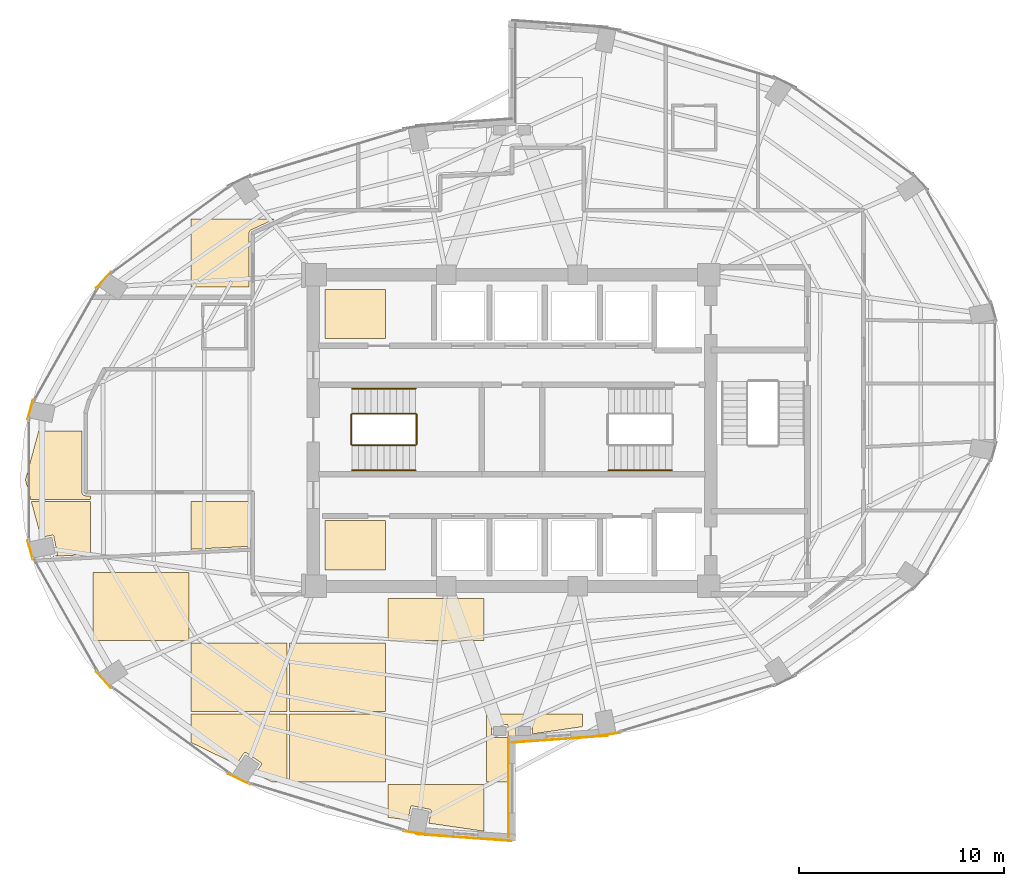
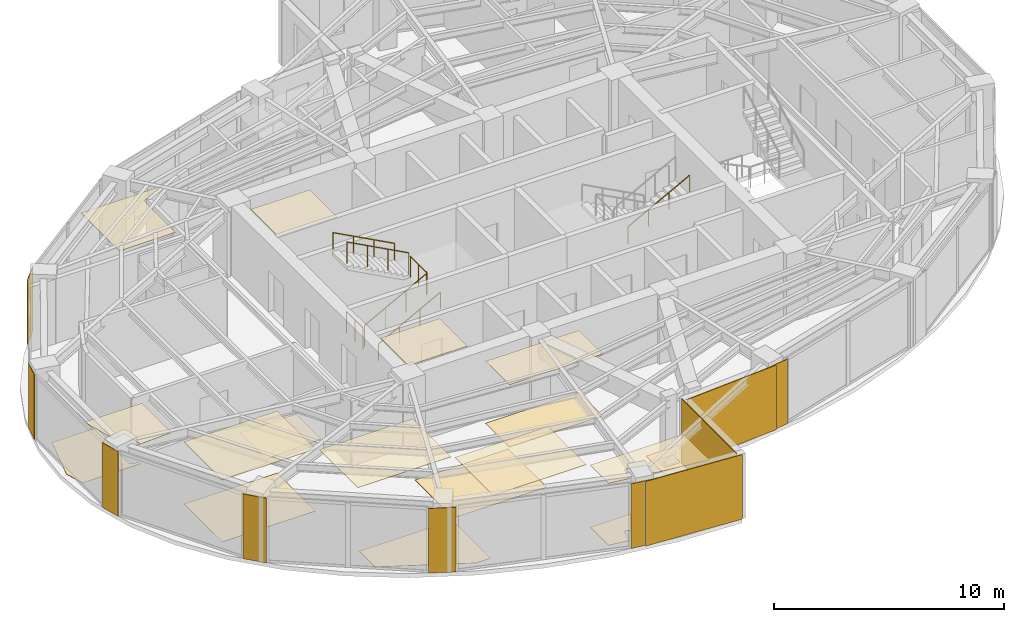
# One storey, part 19 of 20: 27 coverings, 7 railings.
"""IFC4 building model written with IfcOpenShell, lengths in metres."""

import ifcopenshell
import ifcopenshell.guid

model = None  # the IFC model being written
_history = None  # IfcOwnerHistory: only IFC2X3 demands one
_inside = {}  # id of a spatial element -> (the spatial element, [elements in it])
_under = {}  # id of a project, library or spatial element -> (it, [spatial elements below it])
_declared = {}  # id of a project -> (the project, [libraries it declares])
_typed = {}  # id of a type object -> (the type object, [elements of that type])
_made_of = {}  # id of a material, layer set ... -> (it, [elements and type objects made of it])


def new_model(schema):
    """Start an empty IFC model of exactly this schema.

    Asked for "IFC4X3", IfcOpenShell would pick the latest addendum, in which some entities
    have other attributes; the version numbers below select the first issue.
    IFC2X3 requires an IfcOwnerHistory on every rooted entity: one is made here for all.
    """
    global model, _history
    if schema == "IFC4X3":
        model = ifcopenshell.file(schema_version=(4, 3, 0, 0))
    else:
        model = ifcopenshell.file(schema=schema)
    _inside.clear()
    _under.clear()
    _declared.clear()
    _typed.clear()
    _made_of.clear()
    _history = None
    if model.schema == "IFC2X3":
        org = make("IfcOrganization", Name="unknown")
        user = make(
            "IfcPersonAndOrganization",
            ThePerson=make("IfcPerson", FamilyName="unknown"),
            TheOrganization=org,
        )
        app = make(
            "IfcApplication",
            ApplicationDeveloper=org,
            Version="unknown",
            ApplicationFullName="unknown",
            ApplicationIdentifier="unknown",
        )
        _history = make(
            "IfcOwnerHistory",
            OwningUser=user,
            OwningApplication=app,
            ChangeAction="ADDED",
            CreationDate=0,
        )
    return model


def make(cls, **values):
    """One entity of the class cls with the attributes given. An attribute that is None is left unset."""
    return model.create_entity(
        cls, **{name: value for name, value in values.items() if value is not None}
    )


def rooted(cls, **values):
    """An entity with a GlobalId (a new one), such as an element, a storey or a relation."""
    return make(cls, GlobalId=ifcopenshell.guid.new(), OwnerHistory=_history, **values)


def si_unit(unit_type, name, prefix=None):
    """IfcSIUnit, for example si_unit("LENGTHUNIT", "METRE", prefix="MILLI")."""
    return make("IfcSIUnit", UnitType=unit_type, Prefix=prefix, Name=name)


def assignment(units):
    """IfcUnitAssignment: the units of a project."""
    return None if units is None else make("IfcUnitAssignment", Units=units)


def point(xyz):
    """IfcCartesianPoint."""
    return None if xyz is None else make("IfcCartesianPoint", Coordinates=xyz)


def direction(xyz):
    """IfcDirection."""
    return None if xyz is None else make("IfcDirection", DirectionRatios=xyz)


def frame(location, z_axis=None, x_axis=None):
    """IfcAxis2Placement3D, a coordinate frame: its origin and axes. An axis left out is left unset."""
    return make(
        "IfcAxis2Placement3D",
        Location=point(location),
        Axis=direction(z_axis),
        RefDirection=direction(x_axis),
    )


def frame_2d(location, x_axis=None):
    """IfcAxis2Placement2D, a coordinate frame in the plane: its origin and x axis."""
    return make(
        "IfcAxis2Placement2D", Location=point(location), RefDirection=direction(x_axis)
    )


def origin():
    """The frame at (0, 0, 0) with its axes left unset."""
    return frame((0.0, 0.0, 0.0))


def origin_2d():
    """The frame at (0, 0) in the plane with its x axis left unset."""
    return frame_2d((0.0, 0.0))


def place(relative_to, where):
    """IfcLocalPlacement: puts the frame where relative to a parent placement (None: the world)."""
    return make(
        "IfcLocalPlacement", PlacementRelTo=relative_to, RelativePlacement=where
    )


def context(
    kind, dimensions, precision=None, world=None, true_north=None, identifier=None
):
    """IfcGeometricRepresentationContext, for example the 3D "Model" context."""
    return make(
        "IfcGeometricRepresentationContext",
        ContextIdentifier=identifier,
        ContextType=kind,
        CoordinateSpaceDimension=dimensions,
        Precision=precision,
        WorldCoordinateSystem=world,
        TrueNorth=true_north,
    )


def subcontext(parent, identifier, kind, view, scale=None):
    """IfcGeometricRepresentationSubContext, for example "Body" below "Model"."""
    return make(
        "IfcGeometricRepresentationSubContext",
        ContextIdentifier=identifier,
        ContextType=kind,
        ParentContext=parent,
        TargetScale=scale,
        TargetView=view,
    )


def project(units=None, contexts=None):
    """IfcProject with its units and contexts."""
    return rooted(
        "IfcProject",
        Name="project",
        RepresentationContexts=contexts,
        UnitsInContext=assignment(units),
    )


def spatial(cls, under=None, at=None, **own):
    """A site, building, storey or space (cls), placed at a placement, below another one or the project."""
    s = rooted(cls, ObjectPlacement=at, **own)
    if under is not None:
        _under.setdefault(under.id(), (under, []))[1].append(s)
    return s


def polyline(points):
    """IfcPolyline through the points."""
    return make("IfcPolyline", Points=[point(p) for p in points])


def profile(cls, at=None, kind="AREA", **sizes):
    """A parametric profile (cls). Its sizes go by their IFC names, for example OverallWidth=200.0."""
    return make(cls, ProfileType=kind, Position=at, **sizes)


def rectangle(**sizes):
    """IfcRectangleProfileDef."""
    return profile("IfcRectangleProfileDef", **sizes)


def circle(**sizes):
    """IfcCircleProfileDef."""
    return profile("IfcCircleProfileDef", **sizes)


def outline(outer, holes=None, kind="AREA"):
    """IfcArbitraryClosedProfileDef: a profile drawn as a closed curve; with holes, ...WithVoids."""
    if holes is None:
        return make("IfcArbitraryClosedProfileDef", ProfileType=kind, OuterCurve=outer)
    return make(
        "IfcArbitraryProfileDefWithVoids",
        ProfileType=kind,
        OuterCurve=outer,
        InnerCurves=holes,
    )


def extrude(swept, where, along, depth):
    """IfcExtrudedAreaSolid: the profile swept, set in the frame where, extruded along a direction by depth."""
    return make(
        "IfcExtrudedAreaSolid",
        SweptArea=swept,
        Position=where,
        ExtrudedDirection=direction(along),
        Depth=depth,
    )


def shape(context_of_items, identifier, shape_type, items):
    """IfcShapeRepresentation: the items that make up one representation, for example the "Body"."""
    return make(
        "IfcShapeRepresentation",
        ContextOfItems=context_of_items,
        RepresentationIdentifier=identifier,
        RepresentationType=shape_type,
        Items=items,
    )


def material(Name=None, Category=None):
    """IfcMaterial."""
    return make("IfcMaterial", Name=Name, Category=Category)


def layer(
    of_material, thickness, ventilated=None, Name=None, Category=None, Priority=None
):
    """IfcMaterialLayer: one layer of a wall or slab, of a material (None: an air gap)."""
    return make(
        "IfcMaterialLayer",
        Material=of_material,
        LayerThickness=thickness,
        IsVentilated=ventilated,
        Name=Name,
        Category=Category,
        Priority=Priority,
    )


def layer_set(layers, Name=None):
    """IfcMaterialLayerSet."""
    return make("IfcMaterialLayerSet", MaterialLayers=layers, LayerSetName=Name)


def made_of(thing, what):
    """Note that an element or type object is made of a material, layer set ...; save() writes the relation."""
    if what is not None:
        _made_of.setdefault(what.id(), (what, []))[1].append(thing)
    return thing


def type_object(cls, material=None, **own):
    """A type object (cls), such as IfcWallType, which elements share."""
    return made_of(rooted(cls, **own), material)


def element(
    cls,
    number,
    at=None,
    inside=None,
    cuts=None,
    type_object=None,
    material=None,
    context=None,
    identifier="Body",
    shape_type=None,
    held_by="IfcProductDefinitionShape",
    body=None,
    shapes=None,
    **own,
):
    """One element of the class cls, such as IfcWall. Its Tag is "e" and its number.

    at: its placement. inside: the storey or other place that contains it. cuts: it is an
    opening in that element (IfcRelVoidsElement). A single representation is given by context,
    identifier, shape_type and body (its items); several are given by shapes. held_by: the class
    of the entity that holds the representations. save() writes the other relations.
    """
    e = rooted(cls, Tag="e%d" % number, ObjectPlacement=at, **own)
    if body is not None:
        shapes = [shape(context, identifier, shape_type, body)]
    if shapes is not None:
        e.Representation = make(held_by, Representations=shapes)
    if inside is not None:
        _inside.setdefault(inside.id(), (inside, []))[1].append(e)
    if cuts is not None:
        rooted(
            "IfcRelVoidsElement", RelatingBuildingElement=cuts, RelatedOpeningElement=e
        )
    if type_object is not None:
        _typed.setdefault(type_object.id(), (type_object, []))[1].append(e)
    return made_of(e, material)


def aggregate(whole, parts):
    """IfcRelAggregates: a whole, such as a stair, and the parts it consists of."""
    return rooted("IfcRelAggregates", RelatingObject=whole, RelatedObjects=parts)


def save(model, path):
    """Write the relations noted so far, then the file.

    IfcRelAggregates (storeys below a building ...), IfcRelContainedInSpatialStructure (elements
    in a storey), IfcRelDefinesByType, IfcRelAssociatesMaterial and IfcRelDeclares: one each for
    every whole, place, type object, material and project.
    """
    for whole, parts in _under.values():
        aggregate(whole, parts)
    for where, things in _inside.values():
        rooted(
            "IfcRelContainedInSpatialStructure",
            RelatedElements=things,
            RelatingStructure=where,
        )
    for kind, things in _typed.values():
        rooted("IfcRelDefinesByType", RelatedObjects=things, RelatingType=kind)
    for what, things in _made_of.values():
        rooted("IfcRelAssociatesMaterial", RelatedObjects=things, RelatingMaterial=what)
    for by, libraries in _declared.values():
        rooted("IfcRelDeclares", RelatingContext=by, RelatedDefinitions=libraries)
    model.write(path)


model = new_model("IFC4")

# Units and contexts
model_context = context("Model", 3, precision=1e-05, world=origin(), true_north=direction((0.0, 1.0)))
body_context = subcontext(model_context, "Body", "Model", "MODEL_VIEW")
ifc_project = project(units=[si_unit("LENGTHUNIT", "METRE"), si_unit("AREAUNIT", "SQUARE_METRE"), si_unit("VOLUMEUNIT", "CUBIC_METRE"), si_unit("PLANEANGLEUNIT", "RADIAN"), si_unit("MASSUNIT", "GRAM", prefix="KILO")], contexts=[model_context])

# Site, building, storey
site_placement = place(None, origin())
site = spatial("IfcSite", under=ifc_project, at=site_placement, CompositionType="ELEMENT")
building_placement = place(site_placement, origin())
building = spatial("IfcBuilding", under=site, at=building_placement, Name="Lazwardi Medical Tower", CompositionType="ELEMENT")
storey_placement = place(building_placement, frame((0.0, 0.0, 145.583984375)))
storey = spatial("IfcBuildingStorey", under=building, at=storey_placement, Name="L37", CompositionType="ELEMENT", Elevation=145.583984375)

# Coverings
ifc_material_1 = material(Name="Anodised bronze aluminium cassette cladding", Category="aluminium")
ifc_layer_1 = layer(ifc_material_1, 0.030029296875)
ifc_layer_set_1 = layer_set([ifc_layer_1], Name="Anodised bronze aluminium cassette cladding")
covering_type_1 = type_object("IfcCoveringType", Name="COV-CLD-BRZ", PredefinedType="CLADDING", material=ifc_layer_set_1)
covering_1_placement = place(storey_placement, frame((40.67431640625, 13.17578125, 0.0), z_axis=(0.0, 0.0, 1.0), x_axis=(0.989539138138, 0.144264666823, 0.0)))
element("IfcCovering", 1, at=covering_1_placement, inside=storey, type_object=covering_type_1, Name="L37 Mega-column bronze cassette cover M01", PredefinedType="CLADDING", context=body_context, shape_type="SweptSolid", body=[
    extrude(rectangle(XDim=1.28515625, YDim=0.030029296875, at=origin_2d()), origin(), (0.0, 0.0, 1.0), 3.427978515625),
])
covering_2_placement = place(storey_placement, frame((16.07861328125, 35.356689453125, 0.0), z_axis=(0.0, 0.0, 1.0), x_axis=(-0.673714459537, -0.738991763832, 0.0)))
element("IfcCovering", 2, at=covering_2_placement, inside=storey, type_object=covering_type_1, Name="L37 Mega-column bronze cassette cover M11", PredefinedType="CLADDING", context=body_context, shape_type="SweptSolid", body=[
    extrude(rectangle(XDim=1.0693359375, YDim=0.030029296875, at=origin_2d()), origin(), (0.0, 0.0, 1.0), 3.427978515625),
])
for number, where, z_axis, x_axis, name in (
    (3, (12.501220703125, 29.026123046875, 0.0), (0.0, 0.0, 1.0), (-0.261828726257, -0.965114354938, 0.0), "L37 Mega-column bronze cassette cover M12"),
    (4, (12.501220703125, 22.173828125, 0.0), (0.0, 0.0, 1.0), (0.261828726257, -0.965114354938, 0.0), "L37 Mega-column bronze cassette cover M13"),
):
    element("IfcCovering", number, at=place(storey_placement, frame(where, z_axis=z_axis, x_axis=x_axis)), inside=storey, type_object=covering_type_1, Name=name, PredefinedType="CLADDING", context=body_context, shape_type="SweptSolid", body=[
        extrude(rectangle(XDim=0.9658203125, YDim=0.030029296875, at=origin_2d()), origin(), (0.0, 0.0, 1.0), 3.427978515625),
    ])
covering_3_placement = place(storey_placement, frame((16.07861328125, 15.84326171875, 0.0), z_axis=(0.0, 0.0, 1.0), x_axis=(0.673714459537, -0.738991763832, 0.0)))
element("IfcCovering", 5, at=covering_3_placement, inside=storey, type_object=covering_type_1, Name="L37 Mega-column bronze cassette cover M14", PredefinedType="CLADDING", context=body_context, shape_type="SweptSolid", body=[
    extrude(rectangle(XDim=1.0693359375, YDim=0.030029296875, at=origin_2d()), origin(), (0.0, 0.0, 1.0), 3.427978515625),
])
covering_4_placement = place(storey_placement, frame((22.68896484375, 10.998046875, 0.0), z_axis=(0.0, 0.0, 1.0), x_axis=(0.898079014814, -0.439834154144, 0.0)))
element("IfcCovering", 6, at=covering_4_placement, inside=storey, type_object=covering_type_1, Name="L37 Mega-column bronze cassette cover M15", PredefinedType="CLADDING", context=body_context, shape_type="SweptSolid", body=[
    extrude(rectangle(XDim=1.200439453125, YDim=0.030029296875, at=origin_2d()), origin(), (0.0, 0.0, 1.0), 3.427978515625),
])
covering_5_placement = place(storey_placement, frame((31.32568359375, 8.3759765625, 0.0), z_axis=(0.0, 0.0, 1.0), x_axis=(0.989539138138, -0.144264666823, 0.0)))
element("IfcCovering", 7, at=covering_5_placement, inside=storey, type_object=covering_type_1, Name="L37 Mega-column bronze cassette cover M16", PredefinedType="CLADDING", context=body_context, shape_type="SweptSolid", body=[
    extrude(rectangle(XDim=1.28515625, YDim=0.030029296875, at=origin_2d()), origin(), (0.0, 0.0, 1.0), 3.427978515625),
])
ifc_material_2 = material(Name="Turquoise glazed ceramic tilework cladding", Category="masonry")
ifc_layer_2 = layer(ifc_material_2, 0.034912109375)
ifc_layer_set_2 = layer_set([ifc_layer_2], Name="Turquoise glazed ceramic tilework cladding")
covering_type_2 = type_object("IfcCoveringType", Name="COV-CLD-TRQ", PredefinedType="CLADDING", material=ifc_layer_set_2)
covering_6_placement = place(storey_placement, frame((38.338134765625, 12.952392578125, 0.0), z_axis=(0.0, 0.0, 1.0), x_axis=(0.997414510753, 0.071863020663, 0.0)))
element("IfcCovering", 8, at=covering_6_placement, inside=storey, type_object=covering_type_2, Name="L37 Turquoise glazed ceramic tilework cladding", PredefinedType="CLADDING", context=body_context, shape_type="SweptSolid", body=[
    extrude(rectangle(XDim=4.6630859375, YDim=0.034912109375, at=origin_2d()), origin(), (0.0, 0.0, 1.0), 3.427978515625),
])
covering_7_placement = place(storey_placement, frame((33.66162109375, 8.152587890625, 0.0), z_axis=(0.0, 0.0, 1.0), x_axis=(0.997414134466, -0.071868243112, 0.0)))
element("IfcCovering", 9, at=covering_7_placement, inside=storey, type_object=covering_type_2, Name="L37 Turquoise glazed ceramic tilework cladding", PredefinedType="CLADDING", context=body_context, shape_type="SweptSolid", body=[
    extrude(rectangle(XDim=4.66259765625, YDim=0.034912109375, at=origin_2d()), origin(), (0.0, 0.0, 1.0), 3.427978515625),
])
covering_8_placement = place(storey_placement, frame((35.824462890625, 10.56005859375, 0.0), z_axis=(0.0, 0.0, 1.0), x_axis=(0.0, 1.0, 0.0)))
element("IfcCovering", 10, at=covering_8_placement, inside=storey, type_object=covering_type_2, Name="L37 Turquoise glazed ceramic tilework iwan panel", PredefinedType="CLADDING", context=body_context, shape_type="SweptSolid", body=[
    extrude(rectangle(XDim=4.800048828125, YDim=0.034912109375, at=origin_2d()), origin(), (0.0, 0.0, 1.0), 3.427978515625),
])
ifc_material_3 = material(Name="Acoustic mineral fibre tile")
ifc_layer_3 = layer(ifc_material_3, 0.02490234375)
ifc_layer_set_3 = layer_set([ifc_layer_3], Name="Acoustic mineral fibre tile")
covering_type_3 = type_object("IfcCoveringType", Name="COV-CLG-01", PredefinedType="CEILING", material=ifc_layer_set_3)
covering_9_placement = place(storey_placement, frame((0.0, 0.0, 3.282958984375)))
element("IfcCovering", 11, at=covering_9_placement, inside=storey, type_object=covering_type_3, Name="L37 Clinical Acoustic Ceiling 1", PredefinedType="CEILING", context=body_context, shape_type="SweptSolid", body=[
    extrude(outline(polyline([(12.55322265625, 24.532470703125), (13.02490234375, 22.798583984375), (13.55810546875, 22.904541015625), (13.56591796875, 22.90576171875), (13.57373046875, 22.906005859375), (13.58154296875, 22.90576171875), (13.58935546875, 22.904541015625), (13.596923828125, 22.902587890625), (13.6044921875, 22.89990234375), (13.611572265625, 22.896728515625), (13.6181640625, 22.892578125), (13.62451171875, 22.887939453125), (13.63037109375, 22.8828125), (13.635498046875, 22.876953125), (13.640380859375, 22.87060546875), (13.644287109375, 22.86376953125), (13.647705078125, 22.856689453125), (13.650390625, 22.849365234375), (13.65234375, 22.841796875), (13.820068359375, 21.998291015625), (13.8212890625, 21.990478515625), (13.821533203125, 21.982666015625), (13.8212890625, 21.974853515625), (13.820068359375, 21.967041015625), (13.818115234375, 21.95947265625), (13.8154296875, 21.951904296875), (13.812255859375, 21.94482421875), (13.80810546875, 21.938232421875), (13.803466796875, 21.931884765625), (13.798095703125, 21.926025390625), (13.79248046875, 21.9208984375), (13.785888671875, 21.916015625), (13.779296875, 21.912109375), (13.772216796875, 21.90869140625), (13.764892578125, 21.906005859375), (13.757080078125, 21.904052734375), (13.586181640625, 21.8701171875), (15.432861328125, 21.9638671875), (15.432861328125, 24.532470703125), (12.55322265625, 24.532470703125)])), origin(), (0.0, 0.0, 1.0), 0.025146484375),
])
covering_10_placement = place(storey_placement, frame((0.0, 0.0, 3.282958984375)))
element("IfcCovering", 12, at=covering_10_placement, inside=storey, type_object=covering_type_3, Name="L37 Clinical Acoustic Ceiling 2", PredefinedType="CEILING", context=body_context, shape_type="SweptSolid", body=[
    extrude(outline(polyline([(20.23291015625, 17.75244140625), (20.23291015625, 21.08251953125), (15.552978515625, 21.08251953125), (15.552978515625, 17.75244140625), (20.23291015625, 17.75244140625)])), origin(), (0.0, 0.0, 1.0), 0.025146484375),
])
covering_11_placement = place(storey_placement, frame((0.0, 0.0, 3.282958984375)))
element("IfcCovering", 13, at=covering_11_placement, inside=storey, type_object=covering_type_3, Name="L37 Clinical Acoustic Ceiling 3", PredefinedType="CEILING", context=body_context, shape_type="SweptSolid", body=[
    extrude(outline(polyline([(25.032958984375, 14.302490234375), (25.032958984375, 17.632568359375), (20.352783203125, 17.632568359375), (20.352783203125, 14.302490234375), (25.032958984375, 14.302490234375)])), origin(), (0.0, 0.0, 1.0), 0.025146484375),
])
covering_12_placement = place(storey_placement, frame((0.0, 0.0, 3.282958984375)))
element("IfcCovering", 14, at=covering_12_placement, inside=storey, type_object=covering_type_3, Name="L37 Clinical Acoustic Ceiling 4", PredefinedType="CEILING", context=body_context, shape_type="SweptSolid", body=[
    extrude(outline(polyline([(23.175048828125, 35.00244140625), (23.175048828125, 37.6337890625), (23.175048828125, 37.637451171875), (23.175537109375, 37.646484375), (23.17626953125, 37.654296875), (23.177490234375, 37.663330078125), (23.178955078125, 37.67041015625), (23.180908203125, 37.67919921875), (23.18310546875, 37.686279296875), (23.18603515625, 37.694580078125), (23.18896484375, 37.7021484375), (23.192626953125, 37.710205078125), (23.19580078125, 37.71630859375), (23.2001953125, 37.72412109375), (23.204345703125, 37.730712890625), (23.20947265625, 37.73828125), (23.214111328125, 37.744140625), (23.219970703125, 37.7509765625), (23.2255859375, 37.7568359375), (23.232177734375, 37.76318359375), (23.2373046875, 37.767578125), (23.244384765625, 37.773193359375), (23.25048828125, 37.77783203125), (23.258056640625, 37.78271484375), (23.26416015625, 37.786376953125), (23.272216796875, 37.79052734375), (23.27587890625, 37.79248046875), (24.43017578125, 38.33251953125), (20.352783203125, 38.33251953125), (20.352783203125, 35.00244140625), (23.175048828125, 35.00244140625)])), origin(), (0.0, 0.0, 1.0), 0.025146484375),
])
covering_13_placement = place(storey_placement, frame((0.0, 0.0, 3.282958984375)))
element("IfcCovering", 15, at=covering_13_placement, inside=storey, type_object=covering_type_3, Name="L37 Clinical Acoustic Ceiling 5", PredefinedType="CEILING", context=body_context, shape_type="SweptSolid", body=[
    extrude(outline(polyline([(29.8330078125, 10.8525390625), (29.8330078125, 14.1826171875), (25.15283203125, 14.1826171875), (25.15283203125, 10.8525390625), (29.8330078125, 10.8525390625)])), origin(), (0.0, 0.0, 1.0), 0.025146484375),
])
covering_14_placement = place(storey_placement, frame((0.0, 0.0, 3.282958984375)))
element("IfcCovering", 16, at=covering_14_placement, inside=storey, type_object=covering_type_3, Name="L37 Clinical Acoustic Ceiling 6", PredefinedType="CEILING", context=body_context, shape_type="SweptSolid", body=[
    extrude(outline(polyline([(29.8330078125, 23.6201171875), (26.8798828125, 23.6201171875), (26.8798828125, 21.202392578125), (29.8330078125, 21.202392578125), (29.8330078125, 23.6201171875)])), origin(), (0.0, 0.0, 1.0), 0.025146484375),
])
covering_15_placement = place(storey_placement, frame((0.0, 0.0, 3.282958984375)))
element("IfcCovering", 17, at=covering_15_placement, inside=storey, type_object=covering_type_3, Name="L37 Clinical Acoustic Ceiling 7", PredefinedType="CEILING", context=body_context, shape_type="SweptSolid", body=[
    extrude(outline(polyline([(26.8798828125, 34.882568359375), (26.8798828125, 32.5), (29.8330078125, 32.5), (29.8330078125, 34.882568359375), (26.8798828125, 34.882568359375)])), origin(), (0.0, 0.0, 1.0), 0.025146484375),
])
covering_16_placement = place(storey_placement, frame((0.0, 0.0, 3.282958984375)))
element("IfcCovering", 18, at=covering_16_placement, inside=storey, type_object=covering_type_3, Name="L37 Clinical Acoustic Ceiling 8", PredefinedType="CEILING", context=body_context, shape_type="SweptSolid", body=[
    extrude(outline(polyline([(29.952880859375, 9.140380859375), (30.92919921875, 8.99853515625), (31.0556640625, 9.63427734375), (31.0576171875, 9.641845703125), (31.060302734375, 9.6494140625), (31.0634765625, 9.656494140625), (31.067626953125, 9.6630859375), (31.072265625, 9.66943359375), (31.077392578125, 9.67529296875), (31.083251953125, 9.680419921875), (31.089599609375, 9.685302734375), (31.096435546875, 9.689208984375), (31.103515625, 9.692626953125), (31.11083984375, 9.6953125), (31.118408203125, 9.697265625), (31.126220703125, 9.6982421875), (31.134033203125, 9.69873046875), (31.141845703125, 9.6982421875), (31.149658203125, 9.697265625), (31.9931640625, 9.529296875), (32.000732421875, 9.527587890625), (32.00830078125, 9.52490234375), (32.015380859375, 9.521484375), (32.02197265625, 9.517333984375), (32.0283203125, 9.5126953125), (32.0341796875, 9.507568359375), (32.039306640625, 9.501708984375), (32.044189453125, 9.495361328125), (32.048095703125, 9.488525390625), (32.051513671875, 9.4814453125), (32.05419921875, 9.47412109375), (32.05615234375, 9.466552734375), (32.05712890625, 9.458740234375), (32.0576171875, 9.450927734375), (32.05712890625, 9.443115234375), (32.05615234375, 9.435302734375), (31.93994140625, 8.851318359375), (34.6328125, 8.459716796875), (34.6328125, 10.732421875), (29.952880859375, 10.732421875), (29.952880859375, 9.140380859375)])), origin(), (0.0, 0.0, 1.0), 0.025146484375),
])
covering_17_placement = place(storey_placement, frame((0.0, 0.0, 3.282958984375)))
element("IfcCovering", 19, at=covering_17_placement, inside=storey, type_object=covering_type_3, Name="L37 Clinical Acoustic Ceiling 9", PredefinedType="CEILING", context=body_context, shape_type="SweptSolid", body=[
    extrude(outline(polyline([(34.6328125, 19.820068359375), (29.952880859375, 19.820068359375), (29.952880859375, 17.75244140625), (34.6328125, 17.75244140625), (34.6328125, 19.820068359375)])), origin(), (0.0, 0.0, 1.0), 0.025146484375),
])
ifc_material_4 = material(Name="Anti-static hospital vinyl sheet flooring")
ifc_layer_4 = layer(ifc_material_4, 0.014892578125)
ifc_layer_set_4 = layer_set([ifc_layer_4], Name="Anti-static hospital vinyl sheet flooring")
covering_type_4 = type_object("IfcCoveringType", Name="COV-FLR-01", PredefinedType="FLOORING", material=ifc_layer_set_4)
covering_18_placement = place(storey_placement, origin())
element("IfcCovering", 20, at=covering_18_placement, inside=storey, type_object=covering_type_4, Name="L37 Clinical Vinyl Flooring 1", PredefinedType="FLOORING", context=body_context, shape_type="SweptSolid", body=[
    extrude(outline(polyline([(15.432861328125, 24.824951171875), (15.199951171875, 24.824951171875), (15.19580078125, 24.8251953125), (15.186279296875, 24.82568359375), (15.179443359375, 24.826416015625), (15.17041015625, 24.82763671875), (15.161865234375, 24.8291015625), (15.15283203125, 24.83154296875), (15.145751953125, 24.83349609375), (15.136962890625, 24.836669921875), (15.129150390625, 24.840087890625), (15.120849609375, 24.843994140625), (15.114013671875, 24.84765625), (15.10595703125, 24.852294921875), (15.099365234375, 24.85693359375), (15.091796875, 24.862548828125), (15.086181640625, 24.8671875), (15.079345703125, 24.873291015625), (15.0732421875, 24.87939453125), (15.067138671875, 24.88623046875), (15.0625, 24.891845703125), (15.056884765625, 24.8994140625), (15.052490234375, 24.906005859375), (15.047607421875, 24.9140625), (15.0439453125, 24.9208984375), (15.0400390625, 24.92919921875), (15.03662109375, 24.93701171875), (15.03369140625, 24.94580078125), (15.031494140625, 24.952880859375), (15.029296875, 24.9619140625), (15.027587890625, 24.97021484375), (15.0263671875, 24.9794921875), (15.025634765625, 24.986328125), (15.025146484375, 24.99560546875), (15.02490234375, 25.0), (15.02490234375, 27.982421875), (12.910888671875, 27.982421875), (12.262939453125, 25.60009765625), (12.5205078125, 24.652587890625), (15.432861328125, 24.652587890625), (15.432861328125, 24.824951171875)])), origin(), (0.0, 0.0, 1.0), 0.01513671875),
])
covering_19_placement = place(storey_placement, origin())
element("IfcCovering", 21, at=covering_19_placement, inside=storey, type_object=covering_type_4, Name="L37 Clinical Vinyl Flooring 2", PredefinedType="FLOORING", context=body_context, shape_type="SweptSolid", body=[
    extrude(outline(polyline([(20.23291015625, 17.75244140625), (20.23291015625, 21.08251953125), (15.552978515625, 21.08251953125), (15.552978515625, 17.75244140625), (20.23291015625, 17.75244140625)])), origin(), (0.0, 0.0, 1.0), 0.01513671875),
])
covering_20_placement = place(storey_placement, origin())
element("IfcCovering", 22, at=covering_20_placement, inside=storey, type_object=covering_type_4, Name="L37 Clinical Vinyl Flooring 3", PredefinedType="FLOORING", context=body_context, shape_type="SweptSolid", body=[
    extrude(outline(polyline([(20.352783203125, 12.78662109375), (22.551513671875, 11.71240234375), (22.919921875, 12.263916015625), (22.9248046875, 12.27001953125), (22.929931640625, 12.27587890625), (22.935791015625, 12.28125), (22.942138671875, 12.285888671875), (22.94873046875, 12.2900390625), (22.955810546875, 12.293212890625), (22.96337890625, 12.2958984375), (22.970947265625, 12.2978515625), (22.978759765625, 12.299072265625), (22.986572265625, 12.29931640625), (22.994384765625, 12.299072265625), (23.002197265625, 12.2978515625), (23.009765625, 12.2958984375), (23.01708984375, 12.293212890625), (23.024169921875, 12.2900390625), (23.031005859375, 12.285888671875), (23.74609375, 11.80810546875), (23.75244140625, 11.803466796875), (23.75830078125, 11.798095703125), (23.763427734375, 11.79248046875), (23.76806640625, 11.785888671875), (23.772216796875, 11.779296875), (23.775390625, 11.772216796875), (23.7783203125, 11.764892578125), (23.780029296875, 11.757080078125), (23.78125, 11.74951171875), (23.781494140625, 11.74169921875), (23.78125, 11.73388671875), (23.780029296875, 11.72607421875), (23.7783203125, 11.718505859375), (23.775390625, 11.7109375), (23.772216796875, 11.703857421875), (23.76806640625, 11.697021484375), (23.476318359375, 11.260498046875), (24.311279296875, 10.8525390625), (25.032958984375, 10.8525390625), (25.032958984375, 14.1826171875), (20.352783203125, 14.1826171875), (20.352783203125, 12.78662109375)])), origin(), (0.0, 0.0, 1.0), 0.01513671875),
])
covering_21_placement = place(storey_placement, origin())
element("IfcCovering", 23, at=covering_21_placement, inside=storey, type_object=covering_type_4, Name="L37 Clinical Vinyl Flooring 4", PredefinedType="FLOORING", context=body_context, shape_type="SweptSolid", body=[
    extrude(outline(polyline([(20.352783203125, 22.213623046875), (23.175048828125, 22.35693359375), (23.175048828125, 24.532470703125), (20.352783203125, 24.532470703125), (20.352783203125, 22.213623046875)])), origin(), (0.0, 0.0, 1.0), 0.01513671875),
])
covering_22_placement = place(storey_placement, origin())
element("IfcCovering", 24, at=covering_22_placement, inside=storey, type_object=covering_type_4, Name="L37 Clinical Vinyl Flooring 5", PredefinedType="FLOORING", context=body_context, shape_type="SweptSolid", body=[
    extrude(outline(polyline([(29.8330078125, 14.302490234375), (29.8330078125, 17.632568359375), (25.15283203125, 17.632568359375), (25.15283203125, 14.302490234375), (29.8330078125, 14.302490234375)])), origin(), (0.0, 0.0, 1.0), 0.01513671875),
])
covering_23_placement = place(storey_placement, origin())
element("IfcCovering", 25, at=covering_23_placement, inside=storey, type_object=covering_type_4, Name="L37 Clinical Vinyl Flooring 6", PredefinedType="FLOORING", context=body_context, shape_type="SweptSolid", body=[
    extrude(outline(polyline([(29.952880859375, 9.140380859375), (30.92919921875, 8.99853515625), (31.0556640625, 9.63427734375), (31.0576171875, 9.641845703125), (31.060302734375, 9.6494140625), (31.0634765625, 9.656494140625), (31.067626953125, 9.6630859375), (31.072265625, 9.66943359375), (31.077392578125, 9.67529296875), (31.083251953125, 9.680419921875), (31.089599609375, 9.685302734375), (31.096435546875, 9.689208984375), (31.103515625, 9.692626953125), (31.11083984375, 9.6953125), (31.118408203125, 9.697265625), (31.126220703125, 9.6982421875), (31.134033203125, 9.69873046875), (31.141845703125, 9.6982421875), (31.149658203125, 9.697265625), (31.9931640625, 9.529296875), (32.000732421875, 9.527587890625), (32.00830078125, 9.52490234375), (32.015380859375, 9.521484375), (32.02197265625, 9.517333984375), (32.0283203125, 9.5126953125), (32.0341796875, 9.507568359375), (32.039306640625, 9.501708984375), (32.044189453125, 9.495361328125), (32.048095703125, 9.488525390625), (32.051513671875, 9.4814453125), (32.05419921875, 9.47412109375), (32.05615234375, 9.466552734375), (32.05712890625, 9.458740234375), (32.0576171875, 9.450927734375), (32.05712890625, 9.443115234375), (32.05615234375, 9.435302734375), (31.93994140625, 8.851318359375), (34.6328125, 8.459716796875), (34.6328125, 10.732421875), (29.952880859375, 10.732421875), (29.952880859375, 9.140380859375)])), origin(), (0.0, 0.0, 1.0), 0.01513671875),
])
covering_24_placement = place(storey_placement, origin())
element("IfcCovering", 26, at=covering_24_placement, inside=storey, type_object=covering_type_4, Name="L37 Clinical Vinyl Flooring 7", PredefinedType="FLOORING", context=body_context, shape_type="SweptSolid", body=[
    extrude(outline(polyline([(34.6328125, 19.820068359375), (29.952880859375, 19.820068359375), (29.952880859375, 17.75244140625), (34.6328125, 17.75244140625), (34.6328125, 19.820068359375)])), origin(), (0.0, 0.0, 1.0), 0.01513671875),
])
covering_25_placement = place(storey_placement, origin())
element("IfcCovering", 27, at=covering_25_placement, inside=storey, type_object=covering_type_4, Name="L37 Clinical Vinyl Flooring 9", PredefinedType="FLOORING", context=body_context, shape_type="SweptSolid", body=[
    extrude(outline(polyline([(35.919921875, 10.8525390625), (35.919921875, 12.97998046875), (35.92041015625, 12.987548828125), (35.92138671875, 12.9951171875), (35.923095703125, 13.00244140625), (35.92578125, 13.009765625), (35.928955078125, 13.0166015625), (35.9326171875, 13.023193359375), (35.93701171875, 13.029296875), (35.942138671875, 13.03515625), (35.947509765625, 13.040283203125), (35.95361328125, 13.045166015625), (35.9599609375, 13.04931640625), (35.966796875, 13.052734375), (35.9736328125, 13.0556640625), (35.98095703125, 13.0576171875), (35.988525390625, 13.05908203125), (36.201416015625, 13.090087890625), (36.200439453125, 13.09716796875), (36.199951171875, 13.10498046875), (36.199951171875, 13.594970703125), (36.200439453125, 13.602783203125), (36.201416015625, 13.610595703125), (36.203369140625, 13.6181640625), (36.2060546875, 13.62548828125), (36.20947265625, 13.6328125), (36.21337890625, 13.639404296875), (36.21826171875, 13.645751953125), (36.223388671875, 13.651611328125), (36.229248046875, 13.65673828125), (36.235595703125, 13.66162109375), (36.2421875, 13.66552734375), (36.24951171875, 13.6689453125), (36.2568359375, 13.671630859375), (36.264404296875, 13.673583984375), (36.272216796875, 13.674560546875), (36.280029296875, 13.675048828125), (36.919921875, 13.675048828125), (36.927734375, 13.674560546875), (36.935546875, 13.673583984375), (36.943115234375, 13.671630859375), (36.95068359375, 13.6689453125), (36.957763671875, 13.66552734375), (36.96435546875, 13.66162109375), (36.970703125, 13.65673828125), (36.9765625, 13.651611328125), (36.981689453125, 13.645751953125), (36.986572265625, 13.639404296875), (36.990478515625, 13.6328125), (36.993896484375, 13.62548828125), (36.99658203125, 13.6181640625), (36.99853515625, 13.610595703125), (36.99951171875, 13.602783203125), (37.0, 13.594970703125), (37.0, 13.206298828125), (39.432861328125, 13.560302734375), (39.432861328125, 14.1826171875), (34.7529296875, 14.1826171875), (34.7529296875, 10.8525390625), (35.919921875, 10.8525390625)]), holes=[polyline([(35.7431640625, 13.0283203125), (35.735595703125, 13.026611328125), (35.727783203125, 13.025390625), (35.719970703125, 13.02490234375), (35.080078125, 13.02490234375), (35.072265625, 13.025390625), (35.064453125, 13.026611328125), (35.056884765625, 13.0283203125), (35.04931640625, 13.031005859375), (35.042236328125, 13.034423828125), (35.03564453125, 13.03857421875), (35.029296875, 13.043212890625), (35.0234375, 13.04833984375), (35.018310546875, 13.05419921875), (35.013427734375, 13.060546875), (35.009521484375, 13.0673828125), (35.006103515625, 13.074462890625), (35.00341796875, 13.081787109375), (35.00146484375, 13.08935546875), (35.00048828125, 13.09716796875), (35.0, 13.10498046875), (35.0, 13.594970703125), (35.00048828125, 13.602783203125), (35.00146484375, 13.610595703125), (35.00341796875, 13.6181640625), (35.006103515625, 13.62548828125), (35.009521484375, 13.6328125), (35.013427734375, 13.639404296875), (35.018310546875, 13.645751953125), (35.0234375, 13.651611328125), (35.029296875, 13.65673828125), (35.03564453125, 13.66162109375), (35.042236328125, 13.66552734375), (35.04931640625, 13.6689453125), (35.056884765625, 13.671630859375), (35.064453125, 13.673583984375), (35.072265625, 13.674560546875), (35.080078125, 13.675048828125), (35.719970703125, 13.675048828125), (35.727783203125, 13.674560546875), (35.735595703125, 13.673583984375), (35.7431640625, 13.671630859375), (35.75048828125, 13.6689453125), (35.7578125, 13.66552734375), (35.764404296875, 13.66162109375), (35.770751953125, 13.65673828125), (35.776611328125, 13.651611328125), (35.78173828125, 13.645751953125), (35.78662109375, 13.639404296875), (35.79052734375, 13.6328125), (35.7939453125, 13.62548828125), (35.796630859375, 13.6181640625), (35.798583984375, 13.610595703125), (35.799560546875, 13.602783203125), (35.800048828125, 13.594970703125), (35.800048828125, 13.10498046875), (35.799560546875, 13.09716796875), (35.798583984375, 13.08935546875), (35.796630859375, 13.081787109375), (35.7939453125, 13.074462890625), (35.79052734375, 13.0673828125), (35.78662109375, 13.060546875), (35.78173828125, 13.05419921875), (35.776611328125, 13.04833984375), (35.770751953125, 13.043212890625), (35.764404296875, 13.03857421875), (35.7578125, 13.034423828125), (35.75048828125, 13.031005859375), (35.7431640625, 13.0283203125)])]), origin(), (0.0, 0.0, 1.0), 0.01513671875),
])

# Railings
ifc_material_5 = material(Name="Stainless steel Grade 316", Category="steel")
railing_type_1 = type_object("IfcRailingType", Name="RLG-GRD-1150", PredefinedType="GUARDRAIL", material=ifc_material_5)
railing_1_placement = place(storey_placement, frame((28.199951171875, 27.2900390625, 0.165771484375)))
element("IfcRailing", 28, at=railing_1_placement, inside=storey, type_object=railing_type_1, Name="L37 ST1 stair guard 1", PredefinedType="GUARDRAIL", context=body_context, shape_type="SweptSolid", body=[
    extrude(circle(Radius=0.02392578125, at=origin_2d()), frame((0.0, 0.0, 1.1259765625), z_axis=(0.881783298633, 0.0, 0.471654761719), x_axis=(0.0, 1.0, 0.0)), (0.0, 0.0, 1.0), 3.515625),
    extrude(circle(Radius=0.02099609375, at=origin_2d()), origin(), (0.0, 0.0, 1.0), 1.099853515625),
    extrude(circle(Radius=0.02099609375, at=origin_2d()), frame((1.033447265625, 0.0, 0.552734375)), (0.0, 0.0, 1.0), 1.099853515625),
    extrude(circle(Radius=0.02099609375, at=origin_2d()), frame((2.066650390625, 0.0, 1.10546875)), (0.0, 0.0, 1.0), 1.099853515625),
    extrude(circle(Radius=0.02099609375, at=origin_2d()), frame((3.10009765625, 0.0, 1.658203125)), (0.0, 0.0, 1.0), 1.099853515625),
])
railing_2_placement = place(storey_placement, frame((31.35009765625, 27.340087890625, 1.823974609375)))
element("IfcRailing", 29, at=railing_2_placement, inside=storey, type_object=railing_type_1, Name="L37 ST1 stair guard 2", PredefinedType="GUARDRAIL", context=body_context, shape_type="SweptSolid", body=[
    extrude(circle(Radius=0.02392578125, at=origin_2d()), frame((0.0, 0.0, 1.1259765625), z_axis=(0.0, 1.0, 0.0), x_axis=(-1.0, 0.0, 0.0)), (0.0, 0.0, 1.0), 1.43994140625),
    extrude(circle(Radius=0.02099609375, at=origin_2d()), origin(), (0.0, 0.0, 1.0), 1.099853515625),
    extrude(circle(Radius=0.02099609375, at=origin_2d()), frame((0.0, 0.719970703125, 0.0)), (0.0, 0.0, 1.0), 1.099853515625),
    extrude(circle(Radius=0.02099609375, at=origin_2d()), frame((0.0, 1.43994140625, 0.0)), (0.0, 0.0, 1.0), 1.099853515625),
])
railing_3_placement = place(storey_placement, frame((31.300048828125, 28.830078125, 1.98974609375)))
element("IfcRailing", 30, at=railing_3_placement, inside=storey, type_object=railing_type_1, Name="L37 ST1 stair guard 3", PredefinedType="GUARDRAIL", context=body_context, shape_type="SweptSolid", body=[
    extrude(circle(Radius=0.02392578125, at=origin_2d()), frame((0.0, 0.0, 1.1259765625), z_axis=(-0.881783298633, 0.0, 0.471654761719), x_axis=(0.0, -1.0, 0.0)), (0.0, 0.0, 1.0), 3.515625),
    extrude(circle(Radius=0.02099609375, at=origin_2d()), origin(), (0.0, 0.0, 1.0), 1.099853515625),
    extrude(circle(Radius=0.02099609375, at=origin_2d()), frame((-1.033447265625, 0.0, 0.552734375)), (0.0, 0.0, 1.0), 1.099853515625),
    extrude(circle(Radius=0.02099609375, at=origin_2d()), frame((-2.066650390625, 0.0, 1.10546875)), (0.0, 0.0, 1.0), 1.099853515625),
    extrude(circle(Radius=0.02099609375, at=origin_2d()), frame((-3.10009765625, 0.0, 1.658203125)), (0.0, 0.0, 1.0), 1.099853515625),
])
railing_4_placement = place(storey_placement, frame((28.14990234375, 27.340087890625, 0.0)))
element("IfcRailing", 31, at=railing_4_placement, inside=storey, type_object=railing_type_1, Name="L37 ST1 stair guard 4", PredefinedType="GUARDRAIL", context=body_context, shape_type="SweptSolid", body=[
    extrude(circle(Radius=0.02392578125, at=origin_2d()), frame((0.0, 0.0, 1.1259765625), z_axis=(0.0, 1.0, 0.0), x_axis=(-1.0, 0.0, 0.0)), (0.0, 0.0, 1.0), 1.43994140625),
    extrude(circle(Radius=0.02099609375, at=origin_2d()), origin(), (0.0, 0.0, 1.0), 1.099853515625),
    extrude(circle(Radius=0.02099609375, at=origin_2d()), frame((0.0, 0.719970703125, 0.0)), (0.0, 0.0, 1.0), 1.099853515625),
    extrude(circle(Radius=0.02099609375, at=origin_2d()), frame((0.0, 1.43994140625, 0.0)), (0.0, 0.0, 1.0), 1.099853515625),
])
railing_type_2 = type_object("IfcRailingType", Name="RLG-HND-920", PredefinedType="HANDRAIL", material=ifc_material_5)
railing_5_placement = place(storey_placement, frame((28.199951171875, 26.070068359375, 0.165771484375)))
element("IfcRailing", 32, at=railing_5_placement, inside=storey, type_object=railing_type_2, Name="L37 ST1 stair handrail 1", PredefinedType="HANDRAIL", context=body_context, shape_type="SweptSolid", body=[
    extrude(circle(Radius=0.02392578125, at=origin_2d()), frame((0.0, 0.0, 0.8857421875), z_axis=(0.881783298633, 0.0, 0.471654761719), x_axis=(0.0, 1.0, 0.0)), (0.0, 0.0, 1.0), 3.515625),
    extrude(circle(Radius=0.02099609375, at=origin_2d()), origin(), (0.0, 0.0, 1.0), 0.85986328125),
    extrude(circle(Radius=0.02099609375, at=origin_2d()), frame((1.033447265625, 0.0, 0.552734375)), (0.0, 0.0, 1.0), 0.85986328125),
    extrude(circle(Radius=0.02099609375, at=origin_2d()), frame((2.066650390625, 0.0, 1.10546875)), (0.0, 0.0, 1.0), 0.85986328125),
    extrude(circle(Radius=0.02099609375, at=origin_2d()), frame((3.10009765625, 0.0, 1.658203125)), (0.0, 0.0, 1.0), 0.85986328125),
])
railing_6_placement = place(storey_placement, frame((31.300048828125, 30.050048828125, 1.98974609375)))
element("IfcRailing", 33, at=railing_6_placement, inside=storey, type_object=railing_type_2, Name="L37 ST1 stair handrail 2", PredefinedType="HANDRAIL", context=body_context, shape_type="SweptSolid", body=[
    extrude(circle(Radius=0.02392578125, at=origin_2d()), frame((0.0, 0.0, 0.8857421875), z_axis=(-0.881783298633, 0.0, 0.471654761719), x_axis=(0.0, -1.0, 0.0)), (0.0, 0.0, 1.0), 3.515625),
    extrude(circle(Radius=0.02099609375, at=origin_2d()), origin(), (0.0, 0.0, 1.0), 0.85986328125),
    extrude(circle(Radius=0.02099609375, at=origin_2d()), frame((-1.033447265625, 0.0, 0.552734375)), (0.0, 0.0, 1.0), 0.85986328125),
    extrude(circle(Radius=0.02099609375, at=origin_2d()), frame((-2.066650390625, 0.0, 1.10546875)), (0.0, 0.0, 1.0), 0.85986328125),
    extrude(circle(Radius=0.02099609375, at=origin_2d()), frame((-3.10009765625, 0.0, 1.658203125)), (0.0, 0.0, 1.0), 0.85986328125),
])
railing_7_placement = place(storey_placement, frame((40.699951171875, 26.070068359375, 1.98974609375)))
element("IfcRailing", 34, at=railing_7_placement, inside=storey, type_object=railing_type_2, Name="L37 ST2 stair handrail 2", PredefinedType="HANDRAIL", context=body_context, shape_type="SweptSolid", body=[
    extrude(circle(Radius=0.02392578125, at=origin_2d()), frame((0.0, 0.0, 0.8857421875), z_axis=(0.881783298633, 0.0, 0.471654761719), x_axis=(0.0, 1.0, 0.0)), (0.0, 0.0, 1.0), 3.515625),
    extrude(circle(Radius=0.02099609375, at=origin_2d()), origin(), (0.0, 0.0, 1.0), 0.85986328125),
    extrude(circle(Radius=0.02099609375, at=origin_2d()), frame((1.033447265625, 0.0, 0.552734375)), (0.0, 0.0, 1.0), 0.85986328125),
    extrude(circle(Radius=0.02099609375, at=origin_2d()), frame((2.066650390625, 0.0, 1.10546875)), (0.0, 0.0, 1.0), 0.85986328125),
    extrude(circle(Radius=0.02099609375, at=origin_2d()), frame((3.10009765625, 0.0, 1.658203125)), (0.0, 0.0, 1.0), 0.85986328125),
])

save(model, "model.ifc")
